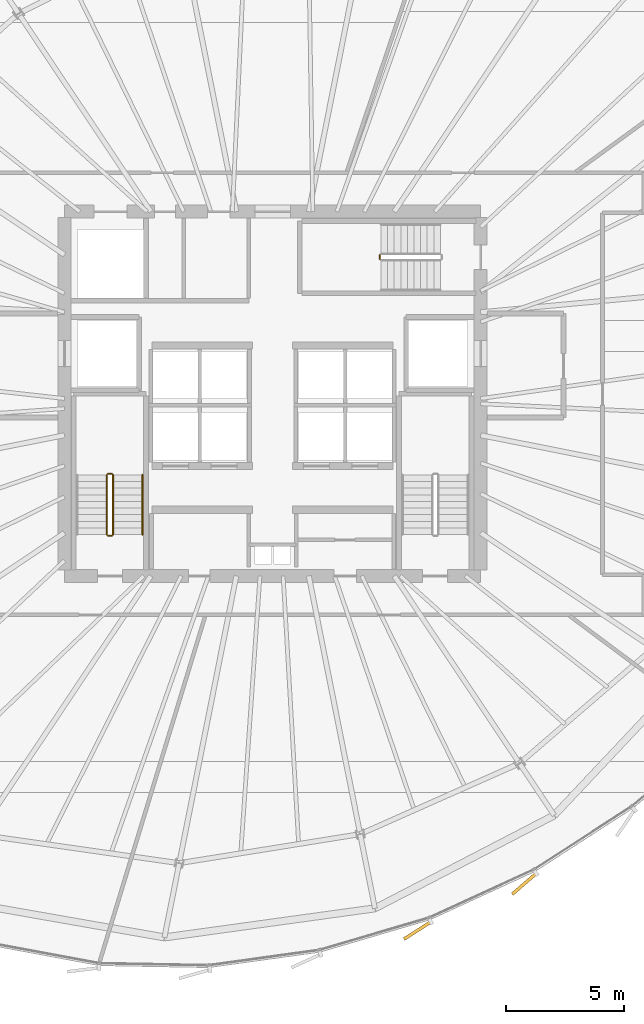
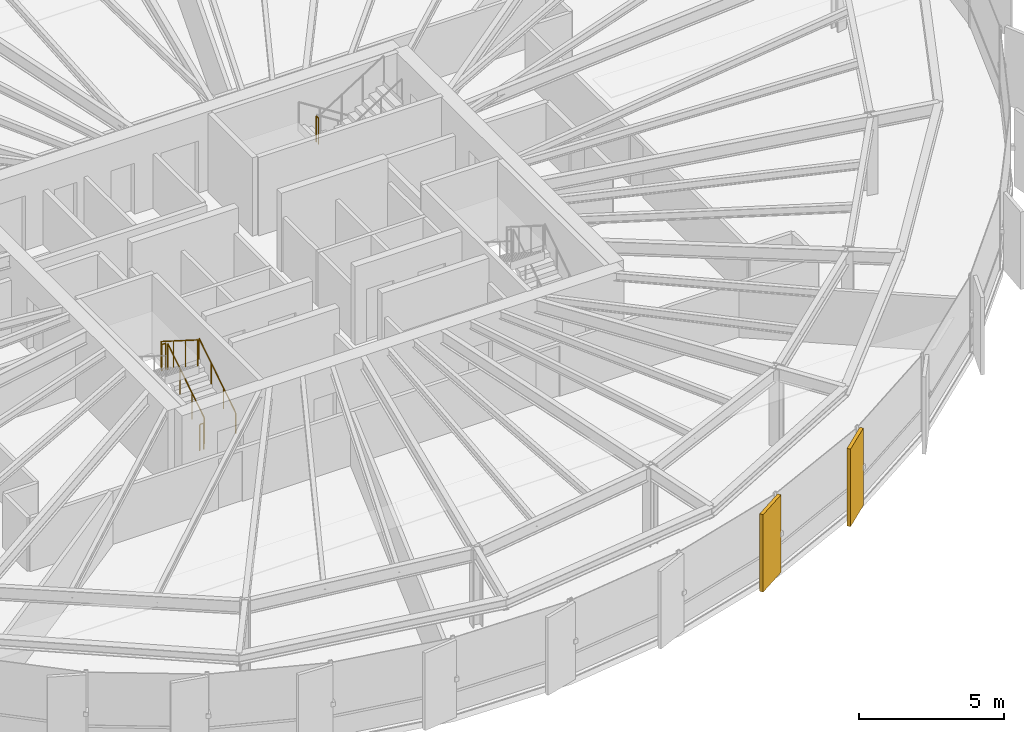
# One storey, part 33 of 36: 6 railings, 2 coverings.
"""IFC4 building model written with IfcOpenShell, lengths in metres."""

from ifc_helpers import new_model, si_unit, direction, frame, origin, origin_2d, place, context, subcontext, project, spatial, rectangle, circle, extrude, source, transform, mapped, material, layer, layer_set, type_object, element, save


model = new_model("IFC4")

# Units and contexts
model_context = context("Model", 3, precision=1e-05, world=origin(), true_north=direction((0.0, 1.0)))
body_context = subcontext(model_context, "Body", "Model", "MODEL_VIEW")
ifc_project = project(units=[si_unit("LENGTHUNIT", "METRE"), si_unit("AREAUNIT", "SQUARE_METRE"), si_unit("VOLUMEUNIT", "CUBIC_METRE"), si_unit("PLANEANGLEUNIT", "RADIAN"), si_unit("MASSUNIT", "GRAM", prefix="KILO"), si_unit("THERMODYNAMICTEMPERATUREUNIT", "KELVIN")], contexts=[model_context])

# Site, building, storey
site_placement = place(None, origin())
site = spatial("IfcSite", under=ifc_project, at=site_placement, CompositionType="ELEMENT")
building_placement = place(site_placement, origin())
building = spatial("IfcBuilding", under=site, at=building_placement, Name="Kethvar Cultural Tower", CompositionType="ELEMENT")
storey_placement = place(building_placement, frame((0.0, 0.0, 150.10009765625)))
storey = spatial("IfcBuildingStorey", under=building, at=storey_placement, Name="L38", CompositionType="ELEMENT", Elevation=150.10009765625)

# Railings
ifc_material_1 = material(Name="Steel S355J2", Category="steel")
railing_type_1 = type_object("IfcRailingType", Name="RL-STAIR-GUARD", PredefinedType="BALUSTRADE", material=ifc_material_1)
railing_1_placement = place(storey_placement, frame((40.050048828125, 21.85009765625, 0.177490234375)))
element("IfcRailing", 1, at=railing_1_placement, inside=storey, type_object=railing_type_1, Name="L38 ST-01 stair guard 1", PredefinedType="BALUSTRADE", context=body_context, shape_type="SweptSolid", body=[
    extrude(circle(Radius=0.02392578125, at=origin_2d()), frame((0.0, 0.0, 1.09619140625), z_axis=(0.0, 0.84460694969, 0.535386869969), x_axis=(-1.0, 0.0, 0.0)), (0.0, 0.0, 1.0), 2.983642578125),
    extrude(circle(Radius=0.02099609375, at=origin_2d()), origin(), (0.0, 0.0, 1.0), 1.072021484375),
    extrude(circle(Radius=0.02099609375, at=origin_2d()), frame((0.0, 0.840087890625, 0.532470703125)), (0.0, 0.0, 1.0), 1.072021484375),
    extrude(circle(Radius=0.02099609375, at=origin_2d()), frame((0.0, 1.679931640625, 1.06494140625)), (0.0, 0.0, 1.0), 1.072021484375),
    extrude(circle(Radius=0.02099609375, at=origin_2d()), frame((0.0, 2.52001953125, 1.597412109375)), (0.0, 0.0, 1.0), 1.072021484375),
])
railing_2_placement = place(storey_placement, frame((40.0, 24.419921875, 1.77490234375)))
element("IfcRailing", 2, at=railing_2_placement, inside=storey, type_object=railing_type_1, Name="L38 ST-01 stair guard 2", PredefinedType="BALUSTRADE", context=body_context, shape_type="SweptSolid", body=[
    extrude(circle(Radius=0.02392578125, at=origin_2d()), frame((0.0, 0.0, 1.09619140625), z_axis=(-1.0, 0.0, 0.0), x_axis=(0.0, -1.0, 0.0)), (0.0, 0.0, 1.0), 0.159912109375),
    extrude(circle(Radius=0.02099609375, at=origin_2d()), origin(), (0.0, 0.0, 1.0), 1.072021484375),
    extrude(circle(Radius=0.02099609375, at=origin_2d()), frame((-0.159912109375, 0.0, 0.0)), (0.0, 0.0, 1.0), 1.072021484375),
])
railing_3_placement = place(storey_placement, frame((39.7900390625, 24.3701171875, 1.952392578125)))
element("IfcRailing", 3, at=railing_3_placement, inside=storey, type_object=railing_type_1, Name="L38 ST-01 stair guard 3", PredefinedType="BALUSTRADE", context=body_context, shape_type="SweptSolid", body=[
    extrude(circle(Radius=0.02392578125, at=origin_2d()), frame((0.0, 0.0, 1.09619140625), z_axis=(0.0, -0.84460694969, 0.535386869969), x_axis=(1.0, 0.0, 0.0)), (0.0, 0.0, 1.0), 2.983642578125),
    extrude(circle(Radius=0.02099609375, at=origin_2d()), origin(), (0.0, 0.0, 1.0), 1.072021484375),
    extrude(circle(Radius=0.02099609375, at=origin_2d()), frame((0.0, -0.840087890625, 0.532470703125)), (0.0, 0.0, 1.0), 1.072021484375),
    extrude(circle(Radius=0.02099609375, at=origin_2d()), frame((0.0, -1.679931640625, 1.06494140625)), (0.0, 0.0, 1.0), 1.072021484375),
    extrude(circle(Radius=0.02099609375, at=origin_2d()), frame((0.0, -2.52001953125, 1.597412109375)), (0.0, 0.0, 1.0), 1.072021484375),
])
railing_4_placement = place(storey_placement, frame((40.0, 21.800048828125, 0.0)))
element("IfcRailing", 4, at=railing_4_placement, inside=storey, type_object=railing_type_1, Name="L38 ST-01 stair guard 4", PredefinedType="BALUSTRADE", context=body_context, shape_type="SweptSolid", body=[
    extrude(circle(Radius=0.02392578125, at=origin_2d()), frame((0.0, 0.0, 1.09619140625), z_axis=(-1.0, 0.0, 0.0), x_axis=(0.0, -1.0, 0.0)), (0.0, 0.0, 1.0), 0.159912109375),
    extrude(circle(Radius=0.02099609375, at=origin_2d()), origin(), (0.0, 0.0, 1.0), 1.072021484375),
    extrude(circle(Radius=0.02099609375, at=origin_2d()), frame((-0.159912109375, 0.0, 0.0)), (0.0, 0.0, 1.0), 1.072021484375),
])
railing_5_placement = place(storey_placement, frame((51.330078125, 33.659912109375, 1.77490234375)))
element("IfcRailing", 5, at=railing_5_placement, inside=storey, type_object=railing_type_1, Name="L38 ST-03 stair guard 2", PredefinedType="BALUSTRADE", context=body_context, shape_type="SweptSolid", body=[
    extrude(circle(Radius=0.02392578125, at=origin_2d()), frame((0.0, 0.0, 1.09619140625), z_axis=(0.0, -1.0, 0.0), x_axis=(1.0, 0.0, 0.0)), (0.0, 0.0, 1.0), 0.159912109375),
    extrude(circle(Radius=0.02099609375, at=origin_2d()), origin(), (0.0, 0.0, 1.0), 1.072021484375),
    extrude(circle(Radius=0.02099609375, at=origin_2d()), frame((0.0, -0.159912109375, 0.0)), (0.0, 0.0, 1.0), 1.072021484375),
])
railing_type_2 = type_object("IfcRailingType", Name="RL-STAIR-HANDRAIL", PredefinedType="HANDRAIL", material=ifc_material_1)
railing_6_placement = place(storey_placement, frame((41.300048828125, 21.85009765625, 0.177490234375)))
element("IfcRailing", 6, at=railing_6_placement, inside=storey, type_object=railing_type_2, Name="L38 ST-01 stair handrail 1", PredefinedType="HANDRAIL", context=body_context, shape_type="SweptSolid", body=[
    extrude(circle(Radius=0.02392578125, at=origin_2d()), frame((0.0, 0.0, 0.8759765625), z_axis=(0.0, 0.84460694969, 0.535386869969), x_axis=(-1.0, 0.0, 0.0)), (0.0, 0.0, 1.0), 2.983642578125),
    extrude(circle(Radius=0.02099609375, at=origin_2d()), origin(), (0.0, 0.0, 1.0), 0.851806640625),
    extrude(circle(Radius=0.02099609375, at=origin_2d()), frame((0.0, 0.840087890625, 0.532470703125)), (0.0, 0.0, 1.0), 0.851806640625),
    extrude(circle(Radius=0.02099609375, at=origin_2d()), frame((0.0, 1.679931640625, 1.06494140625)), (0.0, 0.0, 1.0), 0.851806640625),
    extrude(circle(Radius=0.02099609375, at=origin_2d()), frame((0.0, 2.52001953125, 1.597412109375)), (0.0, 0.0, 1.0), 0.851806640625),
])

# Coverings
ifc_material_2 = material(Name="Extruded Architectural Terracotta", Category="masonry")
ifc_layer = layer(ifc_material_2, 0.135009765625, Name="Extruded Architectural Terracotta", Category="masonry")
ifc_layer_set = layer_set([ifc_layer], Name="Extruded Architectural Terracotta (135 mm)")
covering_type = type_object("IfcCoveringType", Name="Terracotta Facade Fin FIN-02", PredefinedType="CLADDING", material=ifc_layer_set)
shared_shape = source(origin(), body_context, "Body", "SweptSolid", [
    extrude(rectangle(XDim=1.35009765625, YDim=0.135009765625, at=origin_2d()), origin(), (0.0, 0.0, 1.0), 3.260009765625),
])
for number, where, z_axis, x_axis, name in (
    (7, (52.92578125, 5.107177734375, 0.02001953125), (0.0, 0.0, 1.0), (-0.841510781945, -0.540240320478, 0.0), "L38 Vertical Terracotta Fin 5.3"),
    (8, (57.443115234375, 7.08203125, 0.02001953125), (0.0, 0.0, 1.0), (-0.75619618703, -0.654344960034, 0.0), "L38 Vertical Terracotta Fin 5.4"),
):
    element("IfcCovering", number, at=place(storey_placement, frame(where, z_axis=z_axis, x_axis=x_axis)), inside=storey, type_object=covering_type, Name=name, PredefinedType="CLADDING", context=body_context, shape_type="MappedRepresentation", body=[
        mapped(shared_shape, transform((0.0, 0.0, 0.0), scale=1.0)),
    ])

save(model, "model.ifc")
